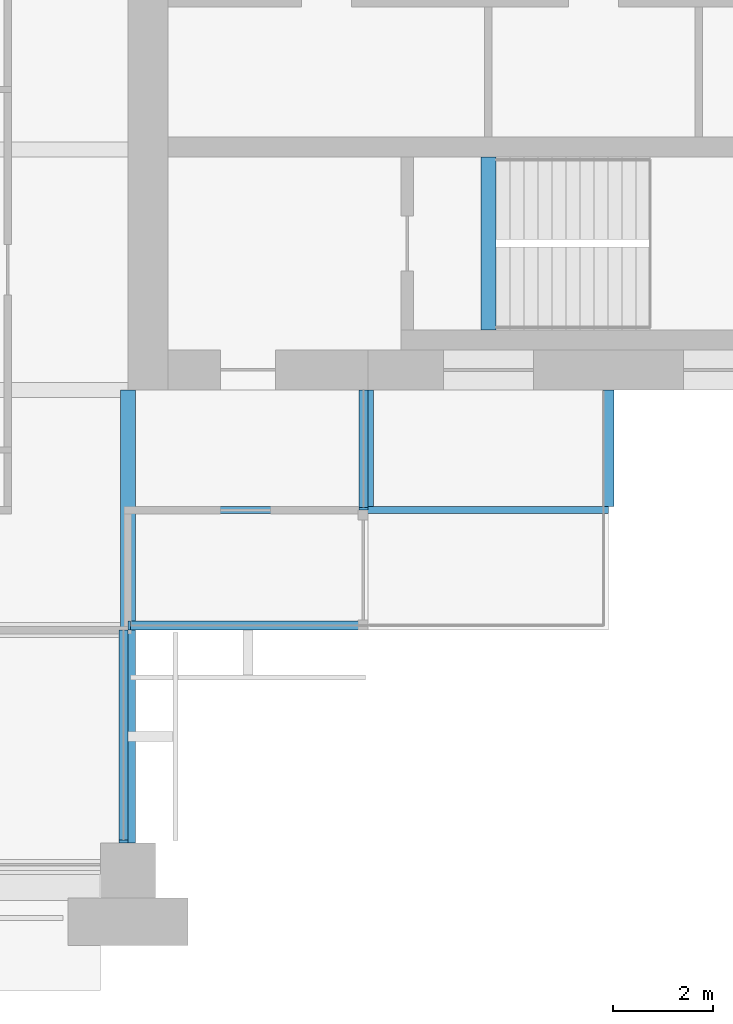
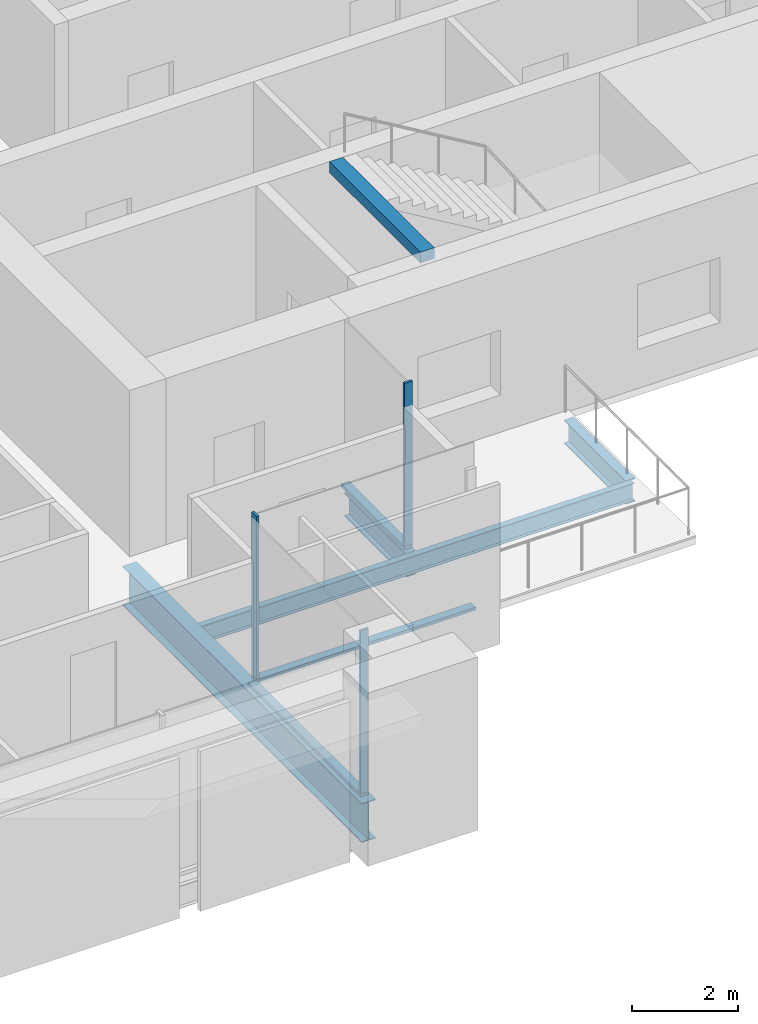
# One storey, part 4 of 14: 6 members, 5 beams, 3 elements without a shape of their own.
"""IFC4 building model written with IfcOpenShell, lengths in metres."""

from ifc_helpers import new_model, si_unit, direction, frame, origin, origin_2d, place, context, subcontext, project, spatial, rectangle, i_section, extrude, material, material_profile, profile_set, type_object, element, aggregate, save


model = new_model("IFC4")

# Units and contexts
model_context = context("Model", 3, precision=1e-05, world=origin(), true_north=direction((0.0, 1.0)))
body_context = subcontext(model_context, "Body", "Model", "MODEL_VIEW")
ifc_project = project(units=[si_unit("LENGTHUNIT", "METRE"), si_unit("AREAUNIT", "SQUARE_METRE"), si_unit("VOLUMEUNIT", "CUBIC_METRE"), si_unit("PLANEANGLEUNIT", "RADIAN"), si_unit("MASSUNIT", "GRAM", prefix="KILO")], contexts=[model_context])

# Site, building, storey
site_placement = place(None, origin())
site = spatial("IfcSite", under=ifc_project, at=site_placement, CompositionType="ELEMENT")
building_placement = place(site_placement, origin())
building = spatial("IfcBuilding", under=site, at=building_placement, Name="Baori Bourse Tower", CompositionType="ELEMENT")
storey_placement = place(building_placement, frame((0.0, 0.0, 233.199951171875)))
storey = spatial("IfcBuildingStorey", under=building, at=storey_placement, Name="L51", CompositionType="ELEMENT", Elevation=233.199951171875)

# Curtain wall, member
ifc_material_1 = material(Name="Pale anodised aluminium", Category="aluminium")
curtain_wall_type = type_object("IfcCurtainWallType", Name="CW2 Curtain wall", PredefinedType="NOTDEFINED", material=ifc_material_1)
curtain_wall_1_placement = place(storey_placement, origin())
curtain_wall_1 = element("IfcCurtainWall", 1, at=curtain_wall_1_placement, inside=storey, type_object=curtain_wall_type, Name="Curtain wall CW2 L51 16", PredefinedType="NOTDEFINED")
ifc_material_2 = material(Name="Pale anodised aluminium", Category="aluminium")
ifc_material_profile_1 = material_profile(ifc_material_2, rectangle(XDim=0.179931640625, YDim=0.054931640625, at=origin_2d()), Name="Mullion 55x180")
ifc_profile_set_1 = profile_set([ifc_material_profile_1], Name="Pale anodised aluminium")
member_type_1 = type_object("IfcMemberType", Name="CW2 Curtain wall mullion", PredefinedType="MULLION", material=ifc_profile_set_1)
member_1_placement = place(storey_placement, frame((38.31005859375, 0.577392578125, 0.070068359375), z_axis=(0.0, 0.0, 1.0), x_axis=(-1.0, 0.0, 0.0)))
member_1 = element("IfcMember", 2, at=member_1_placement, type_object=member_type_1, Name="Curtain wall CW2 mullion", PredefinedType="MULLION", context=body_context, shape_type="SweptSolid", body=[
    extrude(rectangle(XDim=0.179931640625, YDim=0.054931640625, at=origin_2d()), origin(), (0.0, 0.0, 1.0), 3.77001953125),
])

curtain_wall_2_placement = place(storey_placement, origin())
curtain_wall_2 = element("IfcCurtainWall", 3, at=curtain_wall_2_placement, inside=storey, type_object=curtain_wall_type, Name="Curtain wall CW2 L51 17", PredefinedType="NOTDEFINED")
member_2_placement = place(storey_placement, frame((38.427490234375, 4.889892578125, 0.070068359375), z_axis=(0.0, 0.0, 1.0), x_axis=(0.0, 1.0, 0.0)))
member_2 = element("IfcMember", 4, at=member_2_placement, type_object=member_type_1, Name="Curtain wall CW2 mullion", PredefinedType="MULLION", context=body_context, shape_type="SweptSolid", body=[
    extrude(rectangle(XDim=0.179931640625, YDim=0.054931640625, at=origin_2d()), origin(), (0.0, 0.0, 1.0), 3.77001953125),
])

curtain_wall_3_placement = place(storey_placement, origin())
curtain_wall_3 = element("IfcCurtainWall", 5, at=curtain_wall_3_placement, inside=storey, type_object=curtain_wall_type, Name="Curtain wall CW2 L51 18", PredefinedType="NOTDEFINED")
member_3_placement = place(storey_placement, frame((43.110107421875, 7.2275390625, 0.070068359375), z_axis=(0.0, 0.0, 1.0), x_axis=(-1.0, 0.0, 0.0)))
member_3 = element("IfcMember", 6, at=member_3_placement, type_object=member_type_1, Name="Curtain wall CW2 mullion", PredefinedType="MULLION", context=body_context, shape_type="SweptSolid", body=[
    extrude(rectangle(XDim=0.179931640625, YDim=0.054931640625, at=origin_2d()), origin(), (0.0, 0.0, 1.0), 3.77001953125),
])

# Member
ifc_material_3 = material(Name="Pale anodised aluminium", Category="aluminium")
ifc_material_profile_2 = material_profile(ifc_material_3, rectangle(XDim=0.179931640625, YDim=0.070068359375, at=origin_2d()), Name="Transom 70x180")
ifc_profile_set_2 = profile_set([ifc_material_profile_2], Name="Pale anodised aluminium")
member_type_2 = type_object("IfcMemberType", Name="CW2 Curtain wall transom", PredefinedType="USERDEFINED", material=ifc_profile_set_2)
member_4_placement = place(storey_placement, frame((38.31005859375, 0.550048828125, 0.03515625), z_axis=(0.0, 1.0, 0.0), x_axis=(-1.0, 0.0, 0.0)))
member_4 = element("IfcMember", 7, at=member_4_placement, type_object=member_type_2, Name="Curtain wall CW2 sill rail", ObjectType="TRANSOM", PredefinedType="USERDEFINED", context=body_context, shape_type="SweptSolid", body=[
    extrude(rectangle(XDim=0.179931640625, YDim=0.070068359375, at=origin_2d()), origin(), (0.0, 0.0, 1.0), 4.25),
])

aggregate(curtain_wall_1, [member_4, member_1])

member_5_placement = place(storey_placement, frame((38.39990234375, 4.889892578125, 0.03515625), z_axis=(1.0, 0.0, 0.0), x_axis=(0.0, 1.0, 0.0)))
member_5 = element("IfcMember", 8, at=member_5_placement, type_object=member_type_2, Name="Curtain wall CW2 sill rail", ObjectType="TRANSOM", PredefinedType="USERDEFINED", context=body_context, shape_type="SweptSolid", body=[
    extrude(rectangle(XDim=0.179931640625, YDim=0.070068359375, at=origin_2d()), origin(), (0.0, 0.0, 1.0), 4.800048828125),
])

aggregate(curtain_wall_2, [member_5, member_2])

member_6_placement = place(storey_placement, frame((43.110107421875, 7.199951171875, 0.03515625), z_axis=(0.0, 1.0, 0.0), x_axis=(-1.0, 0.0, 0.0)))
member_6 = element("IfcMember", 9, at=member_6_placement, type_object=member_type_2, Name="Curtain wall CW2 sill rail", ObjectType="TRANSOM", PredefinedType="USERDEFINED", context=body_context, shape_type="SweptSolid", body=[
    extrude(rectangle(XDim=0.179931640625, YDim=0.070068359375, at=origin_2d()), origin(), (0.0, 0.0, 1.0), 2.400146484375),
])

aggregate(curtain_wall_3, [member_6, member_3])

# Beams
ifc_material_4 = material(Name="Steel A992 Gr 50", Category="steel")
ifc_material_profile_3 = material_profile(ifc_material_4, i_section(OverallWidth=0.21240234375, OverallDepth=0.54345703125, WebThickness=0.01318359375, FlangeThickness=0.021240234375, at=origin_2d()), Name="W21x83")
ifc_profile_set_3 = profile_set([ifc_material_profile_3], Name="Steel A992 Gr 50")
beam_type_1 = type_object("IfcBeamType", Name="Core bracket W21x83", PredefinedType="BEAM", material=ifc_profile_set_3)
for number, where, z_axis, x_axis, name in (
    (10, (43.199951171875, 7.270263671875, -0.431640625), (0.0, 1.0, 0.0), (-1.0, 0.0, 0.0), "Core bracket L51"),
    (11, (48.0, 7.270263671875, -0.431640625), (0.0, 1.0, 0.0), (-1.0, 0.0, 0.0), "Core bracket L51"),
):
    element("IfcBeam", number, at=place(storey_placement, frame(where, z_axis=z_axis, x_axis=x_axis)), inside=storey, type_object=beam_type_1, Name=name, PredefinedType="BEAM", context=body_context, shape_type="SweptSolid", body=[
        extrude(i_section(OverallWidth=0.21240234375, OverallDepth=0.54345703125, WebThickness=0.01318359375, FlangeThickness=0.021240234375, at=origin_2d()), origin(), (0.0, 0.0, 1.0), 2.329833984375),
    ])
ifc_material_5 = material(Name="Steel A992 Gr 50", Category="steel")
ifc_material_profile_4 = material_profile(ifc_material_5, i_section(OverallWidth=0.3046875, OverallDepth=0.904296875, WebThickness=0.01513671875, FlangeThickness=0.02001953125, at=origin_2d()), Name="W36x135")
ifc_profile_set_4 = profile_set([ifc_material_profile_4], Name="Steel A992 Gr 50")
beam_type_2 = type_object("IfcBeamType", Name="Girder W36x135", PredefinedType="BEAM", material=ifc_profile_set_4)
beam_1_placement = place(storey_placement, frame((38.39990234375, 0.550048828125, -0.612060546875), z_axis=(0.0, 1.0, 0.0), x_axis=(-1.0, 0.0, 0.0)))
element("IfcBeam", 12, at=beam_1_placement, inside=storey, type_object=beam_type_2, Name="Girder L51", PredefinedType="BEAM", context=body_context, shape_type="SweptSolid", body=[
    extrude(i_section(OverallWidth=0.3046875, OverallDepth=0.904296875, WebThickness=0.01513671875, FlangeThickness=0.02001953125, at=origin_2d()), origin(), (0.0, 0.0, 1.0), 9.050048828125),
])
ifc_material_6 = material(Name="Concrete f'c 50 MPa", Category="concrete")
ifc_material_profile_5 = material_profile(ifc_material_6, rectangle(XDim=0.300048828125, YDim=0.25, at=origin_2d()), Name="RC 300x250")
ifc_profile_set_5 = profile_set([ifc_material_profile_5], Name="Concrete f'c 50 MPa")
beam_type_3 = type_object("IfcBeamType", Name="Stair nib beam RC 300x250", PredefinedType="BEAM", material=ifc_profile_set_5)
beam_2_placement = place(storey_placement, frame((45.60009765625, 10.800048828125, 3.715087890625), z_axis=(0.0, 1.0, 0.0), x_axis=(-1.0, 0.0, 0.0)))
element("IfcBeam", 13, at=beam_2_placement, inside=storey, type_object=beam_type_3, Name="Stair EA nib beam L52", PredefinedType="BEAM", context=body_context, shape_type="SweptSolid", body=[
    extrude(rectangle(XDim=0.300048828125, YDim=0.25, at=origin_2d()), origin(), (0.0, 0.0, 1.0), 3.449951171875),
])
ifc_material_7 = material(Name="Steel A992 Gr 50", Category="steel")
ifc_material_profile_6 = material_profile(ifc_material_7, i_section(OverallWidth=0.140380859375, OverallDepth=0.40380859375, WebThickness=0.007080078125, FlangeThickness=0.01123046875, at=origin_2d()), Name="W16x31")
ifc_profile_set_6 = profile_set([ifc_material_profile_6], Name="Steel A992 Gr 50")
beam_type_4 = type_object("IfcBeamType", Name="Trimmer beam W16x31", PredefinedType="BEAM", material=ifc_profile_set_6)
beam_3_placement = place(storey_placement, frame((38.552490234375, 7.199951171875, -0.36181640625), z_axis=(1.0, 0.0, 0.0), x_axis=(0.0, 1.0, 0.0)))
element("IfcBeam", 14, at=beam_3_placement, inside=storey, type_object=beam_type_4, Name="Trimmer beam L51", PredefinedType="BEAM", context=body_context, shape_type="SweptSolid", body=[
    extrude(i_section(OverallWidth=0.140380859375, OverallDepth=0.40380859375, WebThickness=0.007080078125, FlangeThickness=0.01123046875, at=origin_2d()), origin(), (0.0, 0.0, 1.0), 9.447509765625),
])

save(model, "model.ifc")
